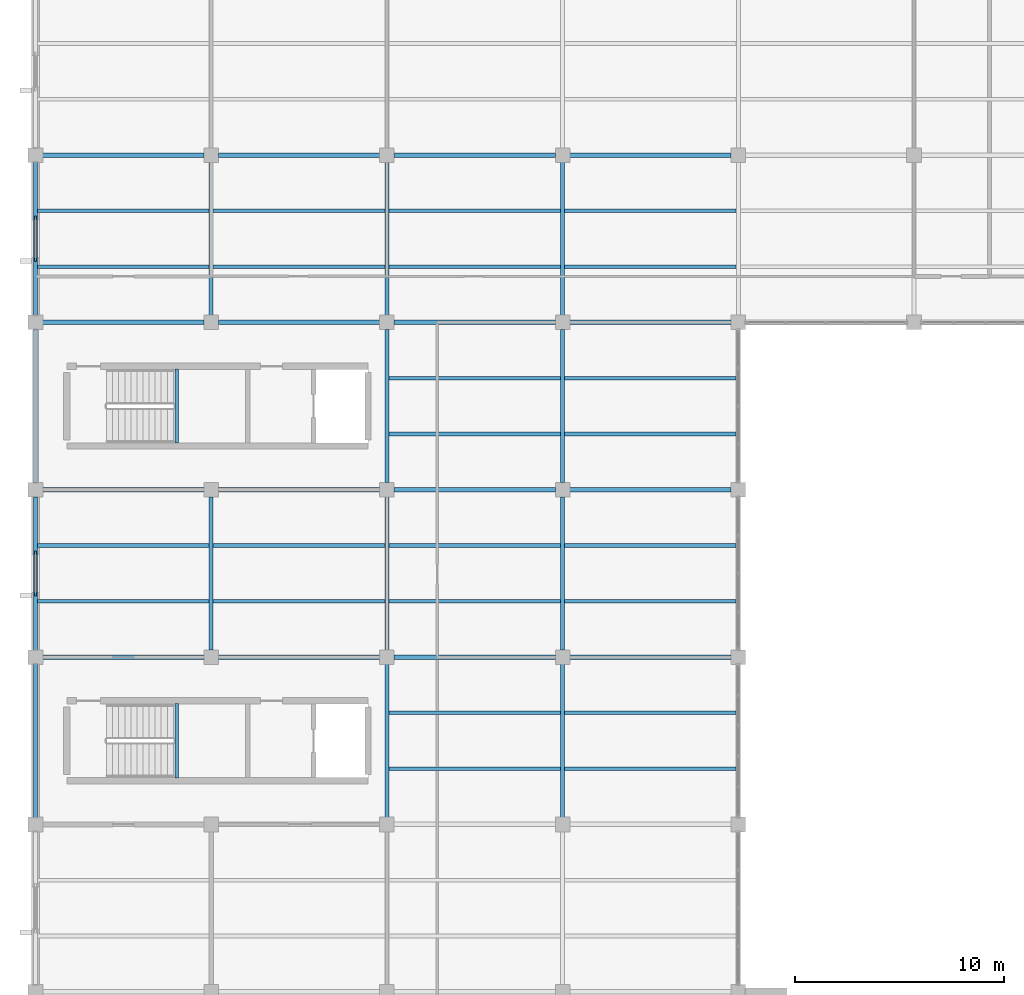
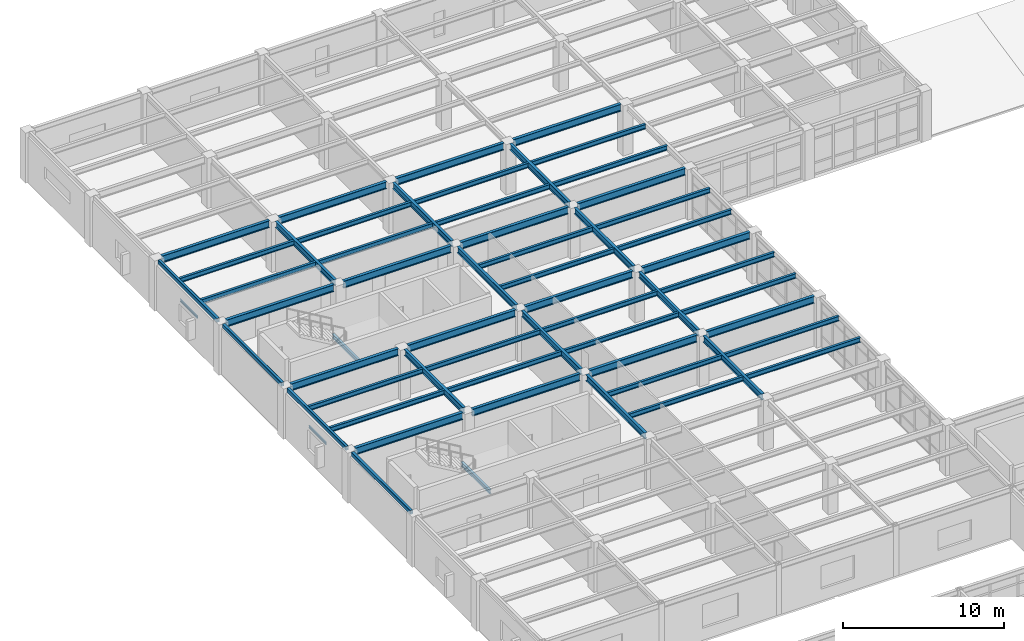
# One storey, part 37 of 138: 58 beams.
"""IFC4 building model written with IfcOpenShell, lengths in metres."""

import ifcopenshell
import ifcopenshell.guid

model = None  # the IFC model being written
_history = None  # IfcOwnerHistory: only IFC2X3 demands one
_inside = {}  # id of a spatial element -> (the spatial element, [elements in it])
_under = {}  # id of a project, library or spatial element -> (it, [spatial elements below it])
_declared = {}  # id of a project -> (the project, [libraries it declares])
_typed = {}  # id of a type object -> (the type object, [elements of that type])
_made_of = {}  # id of a material, layer set ... -> (it, [elements and type objects made of it])


def new_model(schema):
    """Start an empty IFC model of exactly this schema.

    Asked for "IFC4X3", IfcOpenShell would pick the latest addendum, in which some entities
    have other attributes; the version numbers below select the first issue.
    IFC2X3 requires an IfcOwnerHistory on every rooted entity: one is made here for all.
    """
    global model, _history
    if schema == "IFC4X3":
        model = ifcopenshell.file(schema_version=(4, 3, 0, 0))
    else:
        model = ifcopenshell.file(schema=schema)
    _inside.clear()
    _under.clear()
    _declared.clear()
    _typed.clear()
    _made_of.clear()
    _history = None
    if model.schema == "IFC2X3":
        org = make("IfcOrganization", Name="unknown")
        user = make(
            "IfcPersonAndOrganization",
            ThePerson=make("IfcPerson", FamilyName="unknown"),
            TheOrganization=org,
        )
        app = make(
            "IfcApplication",
            ApplicationDeveloper=org,
            Version="unknown",
            ApplicationFullName="unknown",
            ApplicationIdentifier="unknown",
        )
        _history = make(
            "IfcOwnerHistory",
            OwningUser=user,
            OwningApplication=app,
            ChangeAction="ADDED",
            CreationDate=0,
        )
    return model


def make(cls, **values):
    """One entity of the class cls with the attributes given. An attribute that is None is left unset."""
    return model.create_entity(
        cls, **{name: value for name, value in values.items() if value is not None}
    )


def rooted(cls, **values):
    """An entity with a GlobalId (a new one), such as an element, a storey or a relation."""
    return make(cls, GlobalId=ifcopenshell.guid.new(), OwnerHistory=_history, **values)


def si_unit(unit_type, name, prefix=None):
    """IfcSIUnit, for example si_unit("LENGTHUNIT", "METRE", prefix="MILLI")."""
    return make("IfcSIUnit", UnitType=unit_type, Prefix=prefix, Name=name)


def assignment(units):
    """IfcUnitAssignment: the units of a project."""
    return None if units is None else make("IfcUnitAssignment", Units=units)


def point(xyz):
    """IfcCartesianPoint."""
    return None if xyz is None else make("IfcCartesianPoint", Coordinates=xyz)


def direction(xyz):
    """IfcDirection."""
    return None if xyz is None else make("IfcDirection", DirectionRatios=xyz)


def frame(location, z_axis=None, x_axis=None):
    """IfcAxis2Placement3D, a coordinate frame: its origin and axes. An axis left out is left unset."""
    return make(
        "IfcAxis2Placement3D",
        Location=point(location),
        Axis=direction(z_axis),
        RefDirection=direction(x_axis),
    )


def frame_2d(location, x_axis=None):
    """IfcAxis2Placement2D, a coordinate frame in the plane: its origin and x axis."""
    return make(
        "IfcAxis2Placement2D", Location=point(location), RefDirection=direction(x_axis)
    )


def origin():
    """The frame at (0, 0, 0) with its axes left unset."""
    return frame((0.0, 0.0, 0.0))


def origin_2d():
    """The frame at (0, 0) in the plane with its x axis left unset."""
    return frame_2d((0.0, 0.0))


def place(relative_to, where):
    """IfcLocalPlacement: puts the frame where relative to a parent placement (None: the world)."""
    return make(
        "IfcLocalPlacement", PlacementRelTo=relative_to, RelativePlacement=where
    )


def context(
    kind, dimensions, precision=None, world=None, true_north=None, identifier=None
):
    """IfcGeometricRepresentationContext, for example the 3D "Model" context."""
    return make(
        "IfcGeometricRepresentationContext",
        ContextIdentifier=identifier,
        ContextType=kind,
        CoordinateSpaceDimension=dimensions,
        Precision=precision,
        WorldCoordinateSystem=world,
        TrueNorth=true_north,
    )


def subcontext(parent, identifier, kind, view, scale=None):
    """IfcGeometricRepresentationSubContext, for example "Body" below "Model"."""
    return make(
        "IfcGeometricRepresentationSubContext",
        ContextIdentifier=identifier,
        ContextType=kind,
        ParentContext=parent,
        TargetScale=scale,
        TargetView=view,
    )


def project(units=None, contexts=None):
    """IfcProject with its units and contexts."""
    return rooted(
        "IfcProject",
        Name="project",
        RepresentationContexts=contexts,
        UnitsInContext=assignment(units),
    )


def spatial(cls, under=None, at=None, **own):
    """A site, building, storey or space (cls), placed at a placement, below another one or the project."""
    s = rooted(cls, ObjectPlacement=at, **own)
    if under is not None:
        _under.setdefault(under.id(), (under, []))[1].append(s)
    return s


def profile(cls, at=None, kind="AREA", **sizes):
    """A parametric profile (cls). Its sizes go by their IFC names, for example OverallWidth=200.0."""
    return make(cls, ProfileType=kind, Position=at, **sizes)


def hollow_rectangle(**sizes):
    """IfcRectangleHollowProfileDef."""
    return profile("IfcRectangleHollowProfileDef", **sizes)


def i_section(**sizes):
    """IfcIShapeProfileDef."""
    return profile("IfcIShapeProfileDef", **sizes)


def u_section(**sizes):
    """IfcUShapeProfileDef."""
    return profile("IfcUShapeProfileDef", **sizes)


def extrude(swept, where, along, depth):
    """IfcExtrudedAreaSolid: the profile swept, set in the frame where, extruded along a direction by depth."""
    return make(
        "IfcExtrudedAreaSolid",
        SweptArea=swept,
        Position=where,
        ExtrudedDirection=direction(along),
        Depth=depth,
    )


def shape(context_of_items, identifier, shape_type, items):
    """IfcShapeRepresentation: the items that make up one representation, for example the "Body"."""
    return make(
        "IfcShapeRepresentation",
        ContextOfItems=context_of_items,
        RepresentationIdentifier=identifier,
        RepresentationType=shape_type,
        Items=items,
    )


def material(Name=None, Category=None):
    """IfcMaterial."""
    return make("IfcMaterial", Name=Name, Category=Category)


def material_profile(
    of_material, cross_section, Name=None, Category=None, Priority=None
):
    """IfcMaterialProfile: a cross section and its material."""
    return make(
        "IfcMaterialProfile",
        Name=Name,
        Material=of_material,
        Profile=cross_section,
        Priority=Priority,
        Category=Category,
    )


def profile_set(profiles, Name=None, composite=None):
    """IfcMaterialProfileSet."""
    return make(
        "IfcMaterialProfileSet",
        Name=Name,
        MaterialProfiles=profiles,
        CompositeProfile=composite,
    )


def made_of(thing, what):
    """Note that an element or type object is made of a material, layer set ...; save() writes the relation."""
    if what is not None:
        _made_of.setdefault(what.id(), (what, []))[1].append(thing)
    return thing


def type_object(cls, material=None, **own):
    """A type object (cls), such as IfcWallType, which elements share."""
    return made_of(rooted(cls, **own), material)


def element(
    cls,
    number,
    at=None,
    inside=None,
    cuts=None,
    type_object=None,
    material=None,
    context=None,
    identifier="Body",
    shape_type=None,
    held_by="IfcProductDefinitionShape",
    body=None,
    shapes=None,
    **own,
):
    """One element of the class cls, such as IfcWall. Its Tag is "e" and its number.

    at: its placement. inside: the storey or other place that contains it. cuts: it is an
    opening in that element (IfcRelVoidsElement). A single representation is given by context,
    identifier, shape_type and body (its items); several are given by shapes. held_by: the class
    of the entity that holds the representations. save() writes the other relations.
    """
    e = rooted(cls, Tag="e%d" % number, ObjectPlacement=at, **own)
    if body is not None:
        shapes = [shape(context, identifier, shape_type, body)]
    if shapes is not None:
        e.Representation = make(held_by, Representations=shapes)
    if inside is not None:
        _inside.setdefault(inside.id(), (inside, []))[1].append(e)
    if cuts is not None:
        rooted(
            "IfcRelVoidsElement", RelatingBuildingElement=cuts, RelatedOpeningElement=e
        )
    if type_object is not None:
        _typed.setdefault(type_object.id(), (type_object, []))[1].append(e)
    return made_of(e, material)


def aggregate(whole, parts):
    """IfcRelAggregates: a whole, such as a stair, and the parts it consists of."""
    return rooted("IfcRelAggregates", RelatingObject=whole, RelatedObjects=parts)


def save(model, path):
    """Write the relations noted so far, then the file.

    IfcRelAggregates (storeys below a building ...), IfcRelContainedInSpatialStructure (elements
    in a storey), IfcRelDefinesByType, IfcRelAssociatesMaterial and IfcRelDeclares: one each for
    every whole, place, type object, material and project.
    """
    for whole, parts in _under.values():
        aggregate(whole, parts)
    for where, things in _inside.values():
        rooted(
            "IfcRelContainedInSpatialStructure",
            RelatedElements=things,
            RelatingStructure=where,
        )
    for kind, things in _typed.values():
        rooted("IfcRelDefinesByType", RelatedObjects=things, RelatingType=kind)
    for what, things in _made_of.values():
        rooted("IfcRelAssociatesMaterial", RelatedObjects=things, RelatingMaterial=what)
    for by, libraries in _declared.values():
        rooted("IfcRelDeclares", RelatingContext=by, RelatedDefinitions=libraries)
    model.write(path)


model = new_model("IFC4")

# Units and contexts
model_context = context("Model", 3, precision=1e-05, world=origin(), true_north=direction((0.0, 1.0)))
body_context = subcontext(model_context, "Body", "Model", "MODEL_VIEW")
ifc_project = project(units=[si_unit("LENGTHUNIT", "METRE"), si_unit("AREAUNIT", "SQUARE_METRE"), si_unit("VOLUMEUNIT", "CUBIC_METRE"), si_unit("PLANEANGLEUNIT", "RADIAN"), si_unit("MASSUNIT", "GRAM", prefix="KILO")], contexts=[model_context])

# Site, building, storey
site_placement = place(None, origin())
site = spatial("IfcSite", under=ifc_project, at=site_placement, CompositionType="ELEMENT")
building_placement = place(site_placement, origin())
building = spatial("IfcBuilding", under=site, at=building_placement, Name="Kranzveld Transit Interchange", CompositionType="ELEMENT")
storey_placement = place(building_placement, frame((0.0, 0.0, 5.43994140625)))
storey = spatial("IfcBuildingStorey", under=building, at=storey_placement, Name="L01", CompositionType="ELEMENT", Elevation=5.43994140625)

# Beams
ifc_material_1 = material(Name="Steel S355JR", Category="steel")
ifc_material_profile_1 = material_profile(ifc_material_1, i_section(OverallWidth=0.19189453125, OverallDepth=0.46337890625, WebThickness=0.010498046875, FlangeThickness=0.017578125, FilletRadius=0.01025390625, at=origin_2d()), Name="UB 457x191x89")
ifc_profile_set_1 = profile_set([ifc_material_profile_1], Name="Steel S355JR")
beam_type_1 = type_object("IfcBeamType", Name="Beam Steel UB 457x191x89 S355JR", PredefinedType="BEAM", material=ifc_profile_set_1)
for number, where, z_axis, x_axis, name in (
    (1, (8.39990234375, 72.340087890625, 3.568359375), (0.0, 1.0, 0.0), (-1.0, 0.0, 0.0), "L01 Girder 02/K-L"),
    (2, (8.39990234375, 88.340087890625, 3.568359375), (0.0, 1.0, 0.0), (-1.0, 0.0, 0.0), "L01 Girder 02/M-N"),
    (3, (16.800048828125, 64.340087890625, 3.568359375), (0.0, 1.0, 0.0), (-1.0, 0.0, 0.0), "L01 Girder 03/J-K"),
    (4, (16.800048828125, 72.340087890625, 3.568359375), (0.0, 1.0, 0.0), (-1.0, 0.0, 0.0), "L01 Girder 03/K-L"),
    (5, (16.800048828125, 80.340087890625, 3.568359375), (0.0, 1.0, 0.0), (-1.0, 0.0, 0.0), "L01 Girder 03/L-M"),
    (6, (16.800048828125, 88.340087890625, 3.568359375), (0.0, 1.0, 0.0), (-1.0, 0.0, 0.0), "L01 Girder 03/M-N"),
    (7, (25.199951171875, 64.340087890625, 3.568359375), (0.0, 1.0, 0.0), (-1.0, 0.0, 0.0), "L01 Girder 04/J-K"),
    (8, (25.199951171875, 72.340087890625, 3.568359375), (0.0, 1.0, 0.0), (-1.0, 0.0, 0.0), "L01 Girder 04/K-L"),
    (9, (25.199951171875, 80.340087890625, 3.568359375), (0.0, 1.0, 0.0), (-1.0, 0.0, 0.0), "L01 Girder 04/L-M"),
    (10, (25.199951171875, 88.340087890625, 3.568359375), (0.0, 1.0, 0.0), (-1.0, 0.0, 0.0), "L01 Girder 04/M-N"),
):
    element("IfcBeam", number, at=place(storey_placement, frame(where, z_axis=z_axis, x_axis=x_axis)), inside=storey, type_object=beam_type_1, Name=name, PredefinedType="BEAM", context=body_context, shape_type="SweptSolid", body=[
        extrude(i_section(OverallWidth=0.19189453125, OverallDepth=0.46337890625, WebThickness=0.010498046875, FlangeThickness=0.017578125, FilletRadius=0.01025390625, at=origin_2d()), origin(), (0.0, 0.0, 1.0), 7.31982421875),
    ])
ifc_material_2 = material(Name="Steel S355JR", Category="steel")
ifc_material_profile_2 = material_profile(ifc_material_2, hollow_rectangle(XDim=0.199951171875, YDim=0.300048828125, WallThickness=0.010009765625, InnerFilletRadius=0.014892578125, OuterFilletRadius=0.02490234375, at=origin_2d()), Name="RHS 300x200x10")
ifc_profile_set_2 = profile_set([ifc_material_profile_2], Name="Steel S355JR")
beam_type_2 = type_object("IfcBeamType", Name="Edge Spandrel RHS 300x200x10 S355JR", PredefinedType="SPANDREL", material=ifc_profile_set_2)
for number, where, z_axis, x_axis, name in (
    (11, (0.0, 64.340087890625, 3.650146484375), (0.0, 1.0, 0.0), (-1.0, 0.0, 0.0), "L01 Girder 01/J-K"),
    (12, (0.0, 72.340087890625, 3.650146484375), (0.0, 1.0, 0.0), (-1.0, 0.0, 0.0), "L01 Girder 01/K-L"),
    (13, (0.0, 80.340087890625, 3.650146484375), (0.0, 1.0, 0.0), (-1.0, 0.0, 0.0), "L01 Girder 01/L-M"),
    (14, (0.0, 88.340087890625, 3.650146484375), (0.0, 1.0, 0.0), (-1.0, 0.0, 0.0), "L01 Girder 01/M-N"),
):
    element("IfcBeam", number, at=place(storey_placement, frame(where, z_axis=z_axis, x_axis=x_axis)), inside=storey, type_object=beam_type_2, Name=name, PredefinedType="SPANDREL", context=body_context, shape_type="SweptSolid", body=[
        extrude(hollow_rectangle(XDim=0.199951171875, YDim=0.300048828125, WallThickness=0.010009765625, InnerFilletRadius=0.014892578125, OuterFilletRadius=0.02490234375, at=origin_2d()), origin(), (0.0, 0.0, 1.0), 7.31982421875),
    ])
ifc_material_3 = material(Name="Steel S355JR", Category="steel")
ifc_material_profile_3 = material_profile(ifc_material_3, i_section(OverallWidth=0.172119140625, OverallDepth=0.35791015625, WebThickness=0.008056640625, FlangeThickness=0.012939453125, FilletRadius=0.01025390625, at=origin_2d()), Name="UB 356x171x57")
ifc_profile_set_3 = profile_set([ifc_material_profile_3], Name="Steel S355JR")
beam_type_3 = type_object("IfcBeamType", Name="Floor Joist UB 356x171x57 S355JR", PredefinedType="JOIST", material=ifc_profile_set_3)
for number, where, z_axis, x_axis, name in (
    (15, (0.10205078125, 74.666748046875, 3.62109375), (1.0, 0.0, 0.0), (0.0, 1.0, 0.0), "L01 Secondary Joist 01-02/K.1"),
    (16, (0.10205078125, 77.333251953125, 3.62109375), (1.0, 0.0, 0.0), (0.0, 1.0, 0.0), "L01 Secondary Joist 01-02/K.2"),
    (17, (0.10205078125, 90.666748046875, 3.62109375), (1.0, 0.0, 0.0), (0.0, 1.0, 0.0), "L01 Secondary Joist 01-02/M.1"),
    (18, (0.10205078125, 93.333251953125, 3.62109375), (1.0, 0.0, 0.0), (0.0, 1.0, 0.0), "L01 Secondary Joist 01-02/M.2"),
):
    element("IfcBeam", number, at=place(storey_placement, frame(where, z_axis=z_axis, x_axis=x_axis)), inside=storey, type_object=beam_type_3, Name=name, PredefinedType="JOIST", context=body_context, shape_type="SweptSolid", body=[
        extrude(i_section(OverallWidth=0.172119140625, OverallDepth=0.35791015625, WebThickness=0.008056640625, FlangeThickness=0.012939453125, FilletRadius=0.01025390625, at=origin_2d()), origin(), (0.0, 0.0, 1.0), 8.199951171875),
    ])
for number, where, z_axis, x_axis, name in (
    (19, (8.498046875, 74.666748046875, 3.62109375), (1.0, 0.0, 0.0), (0.0, 1.0, 0.0), "L01 Secondary Joist 02-03/K.1"),
    (20, (8.498046875, 77.333251953125, 3.62109375), (1.0, 0.0, 0.0), (0.0, 1.0, 0.0), "L01 Secondary Joist 02-03/K.2"),
    (21, (8.498046875, 90.666748046875, 3.62109375), (1.0, 0.0, 0.0), (0.0, 1.0, 0.0), "L01 Secondary Joist 02-03/M.1"),
    (22, (8.498046875, 93.333251953125, 3.62109375), (1.0, 0.0, 0.0), (0.0, 1.0, 0.0), "L01 Secondary Joist 02-03/M.2"),
    (23, (16.89794921875, 66.666748046875, 3.62109375), (1.0, 0.0, 0.0), (0.0, 1.0, 0.0), "L01 Secondary Joist 03-04/J.1"),
    (24, (16.89794921875, 69.333251953125, 3.62109375), (1.0, 0.0, 0.0), (0.0, 1.0, 0.0), "L01 Secondary Joist 03-04/J.2"),
    (25, (16.89794921875, 74.666748046875, 3.62109375), (1.0, 0.0, 0.0), (0.0, 1.0, 0.0), "L01 Secondary Joist 03-04/K.1"),
    (26, (16.89794921875, 77.333251953125, 3.62109375), (1.0, 0.0, 0.0), (0.0, 1.0, 0.0), "L01 Secondary Joist 03-04/K.2"),
    (27, (16.89794921875, 82.666748046875, 3.62109375), (1.0, 0.0, 0.0), (0.0, 1.0, 0.0), "L01 Secondary Joist 03-04/L.1"),
    (28, (16.89794921875, 85.333251953125, 3.62109375), (1.0, 0.0, 0.0), (0.0, 1.0, 0.0), "L01 Secondary Joist 03-04/L.2"),
    (29, (16.89794921875, 90.666748046875, 3.62109375), (1.0, 0.0, 0.0), (0.0, 1.0, 0.0), "L01 Secondary Joist 03-04/M.1"),
    (30, (16.89794921875, 93.333251953125, 3.62109375), (1.0, 0.0, 0.0), (0.0, 1.0, 0.0), "L01 Secondary Joist 03-04/M.2"),
):
    element("IfcBeam", number, at=place(storey_placement, frame(where, z_axis=z_axis, x_axis=x_axis)), inside=storey, type_object=beam_type_3, Name=name, PredefinedType="JOIST", context=body_context, shape_type="SweptSolid", body=[
        extrude(i_section(OverallWidth=0.172119140625, OverallDepth=0.35791015625, WebThickness=0.008056640625, FlangeThickness=0.012939453125, FilletRadius=0.01025390625, at=origin_2d()), origin(), (0.0, 0.0, 1.0), 8.2041015625),
    ])
for number, where, z_axis, x_axis, name in (
    (31, (25.2978515625, 66.666748046875, 3.62109375), (1.0, 0.0, 0.0), (0.0, 1.0, 0.0), "L01 Secondary Joist 04-05/J.1"),
    (32, (25.2978515625, 69.333251953125, 3.62109375), (1.0, 0.0, 0.0), (0.0, 1.0, 0.0), "L01 Secondary Joist 04-05/J.2"),
    (33, (25.2978515625, 74.666748046875, 3.62109375), (1.0, 0.0, 0.0), (0.0, 1.0, 0.0), "L01 Secondary Joist 04-05/K.1"),
    (34, (25.2978515625, 77.333251953125, 3.62109375), (1.0, 0.0, 0.0), (0.0, 1.0, 0.0), "L01 Secondary Joist 04-05/K.2"),
    (35, (25.2978515625, 82.666748046875, 3.62109375), (1.0, 0.0, 0.0), (0.0, 1.0, 0.0), "L01 Secondary Joist 04-05/L.1"),
    (36, (25.2978515625, 85.333251953125, 3.62109375), (1.0, 0.0, 0.0), (0.0, 1.0, 0.0), "L01 Secondary Joist 04-05/L.2"),
):
    element("IfcBeam", number, at=place(storey_placement, frame(where, z_axis=z_axis, x_axis=x_axis)), inside=storey, type_object=beam_type_3, Name=name, PredefinedType="JOIST", context=body_context, shape_type="SweptSolid", body=[
        extrude(i_section(OverallWidth=0.172119140625, OverallDepth=0.35791015625, WebThickness=0.008056640625, FlangeThickness=0.012939453125, FilletRadius=0.01025390625, at=origin_2d()), origin(), (0.0, 0.0, 1.0), 8.2001953125),
    ])
for number, where, z_axis, x_axis, name in (
    (37, (25.2978515625, 90.666748046875, 3.62109375), (1.0, 0.0, 0.0), (0.0, 1.0, 0.0), "L01 Secondary Joist 04-05/M.1"),
    (38, (25.2978515625, 93.333251953125, 3.62109375), (1.0, 0.0, 0.0), (0.0, 1.0, 0.0), "L01 Secondary Joist 04-05/M.2"),
):
    element("IfcBeam", number, at=place(storey_placement, frame(where, z_axis=z_axis, x_axis=x_axis)), inside=storey, type_object=beam_type_3, Name=name, PredefinedType="JOIST", context=body_context, shape_type="SweptSolid", body=[
        extrude(i_section(OverallWidth=0.172119140625, OverallDepth=0.35791015625, WebThickness=0.008056640625, FlangeThickness=0.012939453125, FilletRadius=0.01025390625, at=origin_2d()), origin(), (0.0, 0.0, 1.0), 8.2041015625),
    ])
ifc_material_4 = material(Name="Steel S355JR", Category="steel")
ifc_material_profile_4 = material_profile(ifc_material_4, i_section(OverallWidth=0.210693359375, OverallDepth=0.53955078125, WebThickness=0.01171875, FlangeThickness=0.018798828125, FilletRadius=0.0126953125, at=origin_2d()), Name="UB 533x210x109")
ifc_profile_set_4 = profile_set([ifc_material_profile_4], Name="Steel S355JR")
beam_type_4 = type_object("IfcBeamType", Name="Girder Steel UB 533x210x109 S355JR", PredefinedType="BEAM", material=ifc_profile_set_4)
for number, where, z_axis, x_axis, name in (
    (39, (0.340087890625, 72.0, 3.5302734375), (1.0, 0.0, 0.0), (0.0, 1.0, 0.0), "L01 Girder 01-02/K"),
    (40, (8.739990234375, 72.0, 3.5302734375), (1.0, 0.0, 0.0), (0.0, 1.0, 0.0), "L01 Girder 02-03/K"),
):
    element("IfcBeam", number, at=place(storey_placement, frame(where, z_axis=z_axis, x_axis=x_axis)), inside=storey, type_object=beam_type_4, Name=name, PredefinedType="BEAM", context=body_context, shape_type="SweptSolid", body=[
        extrude(i_section(OverallWidth=0.210693359375, OverallDepth=0.53955078125, WebThickness=0.01171875, FlangeThickness=0.018798828125, FilletRadius=0.0126953125, at=origin_2d()), origin(), (0.0, 0.0, 1.0), 7.719970703125),
    ])
beam_1_placement = place(storey_placement, frame((17.139892578125, 72.0, 3.5302734375), z_axis=(1.0, 0.0, 0.0), x_axis=(0.0, 1.0, 0.0)))
element("IfcBeam", 41, at=beam_1_placement, inside=storey, type_object=beam_type_4, Name="L01 Girder 03-04/K", PredefinedType="BEAM", context=body_context, shape_type="SweptSolid", body=[
    extrude(i_section(OverallWidth=0.210693359375, OverallDepth=0.53955078125, WebThickness=0.01171875, FlangeThickness=0.018798828125, FilletRadius=0.0126953125, at=origin_2d()), origin(), (0.0, 0.0, 1.0), 7.72021484375),
])
for number, where, z_axis, x_axis, name in (
    (42, (25.5400390625, 72.0, 3.5302734375), (1.0, 0.0, 0.0), (0.0, 1.0, 0.0), "L01 Girder 04-05/K"),
    (43, (0.340087890625, 80.0, 3.5302734375), (1.0, 0.0, 0.0), (0.0, 1.0, 0.0), "L01 Girder 01-02/L"),
    (44, (8.739990234375, 80.0, 3.5302734375), (1.0, 0.0, 0.0), (0.0, 1.0, 0.0), "L01 Girder 02-03/L"),
):
    element("IfcBeam", number, at=place(storey_placement, frame(where, z_axis=z_axis, x_axis=x_axis)), inside=storey, type_object=beam_type_4, Name=name, PredefinedType="BEAM", context=body_context, shape_type="SweptSolid", body=[
        extrude(i_section(OverallWidth=0.210693359375, OverallDepth=0.53955078125, WebThickness=0.01171875, FlangeThickness=0.018798828125, FilletRadius=0.0126953125, at=origin_2d()), origin(), (0.0, 0.0, 1.0), 7.719970703125),
    ])
beam_2_placement = place(storey_placement, frame((17.139892578125, 80.0, 3.5302734375), z_axis=(1.0, 0.0, 0.0), x_axis=(0.0, 1.0, 0.0)))
element("IfcBeam", 45, at=beam_2_placement, inside=storey, type_object=beam_type_4, Name="L01 Girder 03-04/L", PredefinedType="BEAM", context=body_context, shape_type="SweptSolid", body=[
    extrude(i_section(OverallWidth=0.210693359375, OverallDepth=0.53955078125, WebThickness=0.01171875, FlangeThickness=0.018798828125, FilletRadius=0.0126953125, at=origin_2d()), origin(), (0.0, 0.0, 1.0), 7.72021484375),
])
for number, where, z_axis, x_axis, name in (
    (46, (25.5400390625, 80.0, 3.5302734375), (1.0, 0.0, 0.0), (0.0, 1.0, 0.0), "L01 Girder 04-05/L"),
    (47, (0.340087890625, 88.0, 3.5302734375), (1.0, 0.0, 0.0), (0.0, 1.0, 0.0), "L01 Girder 01-02/M"),
    (48, (8.739990234375, 88.0, 3.5302734375), (1.0, 0.0, 0.0), (0.0, 1.0, 0.0), "L01 Girder 02-03/M"),
):
    element("IfcBeam", number, at=place(storey_placement, frame(where, z_axis=z_axis, x_axis=x_axis)), inside=storey, type_object=beam_type_4, Name=name, PredefinedType="BEAM", context=body_context, shape_type="SweptSolid", body=[
        extrude(i_section(OverallWidth=0.210693359375, OverallDepth=0.53955078125, WebThickness=0.01171875, FlangeThickness=0.018798828125, FilletRadius=0.0126953125, at=origin_2d()), origin(), (0.0, 0.0, 1.0), 7.719970703125),
    ])
beam_3_placement = place(storey_placement, frame((17.139892578125, 88.0, 3.5302734375), z_axis=(1.0, 0.0, 0.0), x_axis=(0.0, 1.0, 0.0)))
element("IfcBeam", 49, at=beam_3_placement, inside=storey, type_object=beam_type_4, Name="L01 Girder 03-04/M", PredefinedType="BEAM", context=body_context, shape_type="SweptSolid", body=[
    extrude(i_section(OverallWidth=0.210693359375, OverallDepth=0.53955078125, WebThickness=0.01171875, FlangeThickness=0.018798828125, FilletRadius=0.0126953125, at=origin_2d()), origin(), (0.0, 0.0, 1.0), 7.72021484375),
])
for number, where, z_axis, x_axis, name in (
    (50, (25.5400390625, 88.0, 3.5302734375), (1.0, 0.0, 0.0), (0.0, 1.0, 0.0), "L01 Girder 04-05/M"),
    (51, (0.340087890625, 96.0, 3.5302734375), (1.0, 0.0, 0.0), (0.0, 1.0, 0.0), "L01 Girder 01-02/N"),
    (52, (8.739990234375, 96.0, 3.5302734375), (1.0, 0.0, 0.0), (0.0, 1.0, 0.0), "L01 Girder 02-03/N"),
):
    element("IfcBeam", number, at=place(storey_placement, frame(where, z_axis=z_axis, x_axis=x_axis)), inside=storey, type_object=beam_type_4, Name=name, PredefinedType="BEAM", context=body_context, shape_type="SweptSolid", body=[
        extrude(i_section(OverallWidth=0.210693359375, OverallDepth=0.53955078125, WebThickness=0.01171875, FlangeThickness=0.018798828125, FilletRadius=0.0126953125, at=origin_2d()), origin(), (0.0, 0.0, 1.0), 7.719970703125),
    ])
beam_4_placement = place(storey_placement, frame((17.139892578125, 96.0, 3.5302734375), z_axis=(1.0, 0.0, 0.0), x_axis=(0.0, 1.0, 0.0)))
element("IfcBeam", 53, at=beam_4_placement, inside=storey, type_object=beam_type_4, Name="L01 Girder 03-04/N", PredefinedType="BEAM", context=body_context, shape_type="SweptSolid", body=[
    extrude(i_section(OverallWidth=0.210693359375, OverallDepth=0.53955078125, WebThickness=0.01171875, FlangeThickness=0.018798828125, FilletRadius=0.0126953125, at=origin_2d()), origin(), (0.0, 0.0, 1.0), 7.72021484375),
])
beam_5_placement = place(storey_placement, frame((25.5400390625, 96.0, 3.5302734375), z_axis=(1.0, 0.0, 0.0), x_axis=(0.0, 1.0, 0.0)))
element("IfcBeam", 54, at=beam_5_placement, inside=storey, type_object=beam_type_4, Name="L01 Girder 04-05/N", PredefinedType="BEAM", context=body_context, shape_type="SweptSolid", body=[
    extrude(i_section(OverallWidth=0.210693359375, OverallDepth=0.53955078125, WebThickness=0.01171875, FlangeThickness=0.018798828125, FilletRadius=0.0126953125, at=origin_2d()), origin(), (0.0, 0.0, 1.0), 7.719970703125),
])
ifc_material_5 = material(Name="Steel S355JR", Category="steel")
ifc_material_profile_5 = material_profile(ifc_material_5, u_section(Depth=0.199951171875, FlangeWidth=0.074951171875, WebThickness=0.006103515625, FlangeThickness=0.012451171875, FilletRadius=0.011962890625, at=origin_2d()), Name="PFC 200x75x23")
ifc_profile_set_5 = profile_set([ifc_material_profile_5], Name="Steel S355JR")
beam_type_5 = type_object("IfcBeamType", Name="Masonry Lintel PFC 200x75x23 S355JR", PredefinedType="LINTEL", material=ifc_profile_set_5)
beam_6_placement = place(storey_placement, frame((0.0, 90.919921875, 2.30517578125), z_axis=(0.0, 1.0, 0.0), x_axis=(-1.0, 0.0, 0.0)))
element("IfcBeam", 55, at=beam_6_placement, inside=storey, type_object=beam_type_5, Name="L01 Window Lintel 072", PredefinedType="LINTEL", context=body_context, shape_type="SweptSolid", body=[
    extrude(u_section(Depth=0.199951171875, FlangeWidth=0.074951171875, WebThickness=0.006103515625, FlangeThickness=0.012451171875, FilletRadius=0.011962890625, at=origin_2d()), origin(), (0.0, 0.0, 1.0), 2.16015625),
])
ifc_material_6 = material(Name="Steel S355JR", Category="steel")
ifc_material_profile_6 = material_profile(ifc_material_6, i_section(OverallWidth=0.091064453125, OverallDepth=0.179931640625, WebThickness=0.00537109375, FlangeThickness=0.008056640625, FilletRadius=0.009033203125, at=origin_2d()), Name="IPE 180")
ifc_profile_set_6 = profile_set([ifc_material_profile_6], Name="Steel S355JR")
beam_type_6 = type_object("IfcBeamType", Name="Opening Lintel IPE 180 S355JR", PredefinedType="LINTEL", material=ifc_profile_set_6)
beam_7_placement = place(storey_placement, frame((0.0, 74.919921875, 2.445068359375), z_axis=(0.0, 1.0, 0.0), x_axis=(-1.0, 0.0, 0.0)))
element("IfcBeam", 56, at=beam_7_placement, inside=storey, type_object=beam_type_6, Name="L01 Window Lintel 071", PredefinedType="LINTEL", context=body_context, shape_type="SweptSolid", body=[
    extrude(i_section(OverallWidth=0.091064453125, OverallDepth=0.179931640625, WebThickness=0.00537109375, FlangeThickness=0.008056640625, FilletRadius=0.009033203125, at=origin_2d()), origin(), (0.0, 0.0, 1.0), 2.16015625),
])
ifc_material_7 = material(Name="Steel S355JR", Category="steel")
ifc_material_profile_7 = material_profile(ifc_material_7, i_section(OverallWidth=0.165771484375, OverallDepth=0.306640625, WebThickness=0.006591796875, FlangeThickness=0.01171875, FilletRadius=0.0087890625, at=origin_2d()), Name="UB 305x165x46")
ifc_profile_set_7 = profile_set([ifc_material_profile_7], Name="Steel S355JR")
beam_type_7 = type_object("IfcBeamType", Name="Roof Joist UB 305x165x46 S355JR", PredefinedType="JOIST", material=ifc_profile_set_7)
for number, where, z_axis, x_axis, name in (
    (57, (6.75, 66.22998046875, 1.686767578125), (0.0, 1.0, 0.0), (-1.0, 0.0, 0.0), "L01 ST-C1 Half-Landing Support Beam"),
    (58, (6.75, 82.22998046875, 1.686767578125), (0.0, 1.0, 0.0), (-1.0, 0.0, 0.0), "L01 ST-C2 Half-Landing Support Beam"),
):
    element("IfcBeam", number, at=place(storey_placement, frame(where, z_axis=z_axis, x_axis=x_axis)), inside=storey, type_object=beam_type_7, Name=name, PredefinedType="BEAM", context=body_context, shape_type="SweptSolid", body=[
        extrude(i_section(OverallWidth=0.165771484375, OverallDepth=0.306640625, WebThickness=0.006591796875, FlangeThickness=0.01171875, FilletRadius=0.0087890625, at=origin_2d()), origin(), (0.0, 0.0, 1.0), 3.5400390625),
    ])

save(model, "model.ifc")
